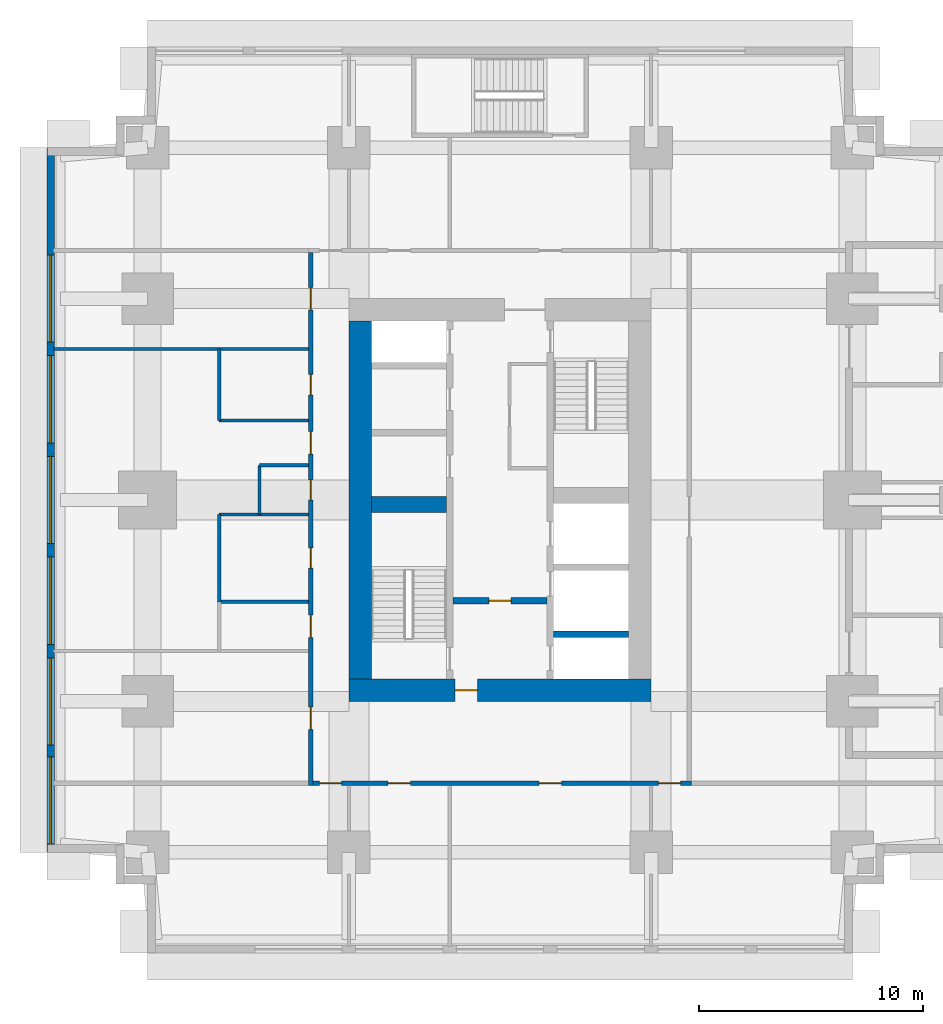
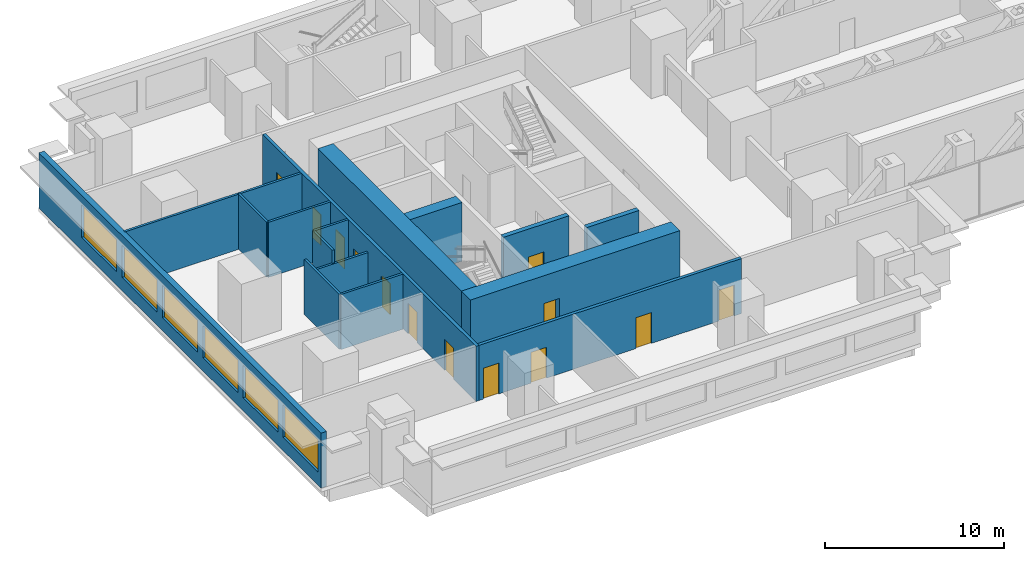
# One storey, part 7 of 16: 16 walls, 13 doors, 6 windows, 19 openings.
"""IFC4 building model written with IfcOpenShell, lengths in metres."""

from ifc_helpers import new_model, si_unit, direction, frame, frame_2d, origin, place, context, subcontext, project, spatial, rectangle, extrude, material, layer, layer_set, type_object, element, fill, save


model = new_model("IFC4")

# Units and contexts
model_context = context("Model", 3, precision=1e-05, world=origin(), true_north=direction((0.0, 1.0)))
body_context = subcontext(model_context, "Body", "Model", "MODEL_VIEW")
ifc_project = project(units=[si_unit("LENGTHUNIT", "METRE"), si_unit("AREAUNIT", "SQUARE_METRE"), si_unit("VOLUMEUNIT", "CUBIC_METRE"), si_unit("PLANEANGLEUNIT", "RADIAN"), si_unit("MASSUNIT", "GRAM", prefix="KILO")], contexts=[model_context])

# Site, building, storey
site_placement = place(None, origin())
site = spatial("IfcSite", under=ifc_project, at=site_placement, CompositionType="ELEMENT")
building_placement = place(site_placement, origin())
building = spatial("IfcBuilding", under=site, at=building_placement, Name="Namib Vertical Campus", CompositionType="ELEMENT")
storey_placement = place(building_placement, frame((0.0, 0.0, 129.0)))
storey = spatial("IfcBuildingStorey", under=building, at=storey_placement, Name="L30", CompositionType="ELEMENT", Elevation=129.0)

# Wall, opening, door
ifc_material_1 = material(Name="Concrete C60/75", Category="concrete")
ifc_layer_1 = layer(ifc_material_1, 0.300048828125)
ifc_layer_set_1 = layer_set([ifc_layer_1], Name="Concrete C60/75")
wall_type_1 = type_object("IfcWallType", Name="Core inner wall 300", PredefinedType="SHEAR", material=ifc_layer_set_1)
wall_1_placement = place(storey_placement, frame((18.14990234375, 15.75, 0.0), z_axis=(0.0, 0.0, 1.0), x_axis=(1.0, 0.0, 0.0)))
wall_1 = element("IfcWall", 1, at=wall_1_placement, inside=storey, type_object=wall_type_1, Name="Core inner wall A L30 W4", PredefinedType="SHEAR", context=body_context, shape_type="SweptSolid", body=[
    extrude(rectangle(XDim=4.2001953125, YDim=0.300048828125, at=frame_2d((2.10009765625, 0.0))), origin(), (0.0, 0.0, 1.0), 4.0),
])
opening_1_placement = place(wall_1_placement, frame((1.60009765625, 0.0, 0.0)))
opening_1 = element("IfcOpeningElement", 2, at=opening_1_placement, cuts=wall_1, Name="Opening FD5", PredefinedType="OPENING", context=body_context, shape_type="SweptSolid", body=[
    extrude(rectangle(XDim=1.0, YDim=2.10009765625, at=frame_2d((0.5, 1.050048828125))), frame((0.0, 0.159912109375, 0.0), z_axis=(0.0, -1.0, 0.0), x_axis=(1.0, 0.0, 0.0)), (0.0, 0.0, 1.0), 0.320068359375),
])
ifc_material_2 = material(Name="Steel fire door", Category="steel")
door_type_1 = type_object("IfcDoorType", Name="Fire door 1000x2100 120 min", OperationType="SINGLE_SWING_RIGHT", PredefinedType="DOOR", material=ifc_material_2)
door_1_placement = place(opening_1_placement, frame((1.0, 0.0, 0.0), z_axis=(0.0, 0.0, 1.0), x_axis=(-1.0, 0.0, 0.0)))
door_1 = element("IfcDoor", 3, at=door_1_placement, inside=storey, type_object=door_type_1, Name="Lobby door FD5 A L30", OperationType="SINGLE_SWING_RIGHT", OverallHeight=2.10009765625, OverallWidth=1.0, PredefinedType="DOOR", context=body_context, shape_type="SweptSolid", body=[
    extrude(rectangle(XDim=1.0, YDim=2.10009765625, at=frame_2d((0.5, 1.050048828125))), frame((0.0, 0.02490234375, 0.0), z_axis=(0.0, -1.0, 0.0), x_axis=(1.0, 0.0, 0.0)), (0.0, 0.0, 1.0), 0.050048828125),
])
fill(opening_1, door_1)

# Walls
wall_2_placement = place(storey_placement, frame((22.64990234375, 14.25, 0.0), z_axis=(0.0, 0.0, 1.0), x_axis=(1.0, 0.0, 0.0)))
element("IfcWall", 4, at=wall_2_placement, inside=storey, type_object=wall_type_1, Name="Core inner wall A L30 W5", PredefinedType="SHEAR", context=body_context, shape_type="SweptSolid", body=[
    extrude(rectangle(XDim=3.35009765625, YDim=0.300048828125, at=frame_2d((1.675048828125, 0.0))), origin(), (0.0, 0.0, 1.0), 4.0),
])
ifc_material_3 = material(Name="Concrete C60/75", Category="concrete")
ifc_layer_2 = layer(ifc_material_3, 0.699951171875)
ifc_layer_set_2 = layer_set([ifc_layer_2], Name="Concrete C60/75")
wall_type_2 = type_object("IfcWallType", Name="Core shear wall 700", PredefinedType="SHEAR", material=ifc_layer_set_2)
wall_3_placement = place(storey_placement, frame((14.5, 20.050048828125, 0.0), z_axis=(0.0, 0.0, 1.0), x_axis=(1.0, 0.0, 0.0)))
element("IfcWall", 5, at=wall_3_placement, inside=storey, type_object=wall_type_2, Name="Core shear wall A L30 W3", PredefinedType="SHEAR", context=body_context, shape_type="SweptSolid", body=[
    extrude(rectangle(XDim=3.35009765625, YDim=0.699951171875, at=frame_2d((1.675048828125, 0.0))), origin(), (0.0, 0.0, 1.0), 4.0),
])

# Wall, opening, door
ifc_material_4 = material(Name="Concrete C60/75", Category="concrete")
ifc_layer_3 = layer(ifc_material_4, 1.0)
ifc_layer_set_3 = layer_set([ifc_layer_3], Name="Concrete C60/75")
wall_type_3 = type_object("IfcWallType", Name="Core wall 1000", PredefinedType="SHEAR", material=ifc_layer_set_3)
wall_4_placement = place(storey_placement, frame((13.5, 11.75, 0.0), z_axis=(0.0, 0.0, 1.0), x_axis=(1.0, 0.0, 0.0)))
wall_4 = element("IfcWall", 6, at=wall_4_placement, inside=storey, type_object=wall_type_3, Name="Core wall A L30 1", PredefinedType="SHEAR", context=body_context, shape_type="SweptSolid", body=[
    extrude(rectangle(XDim=13.5, YDim=1.0, at=frame_2d((6.75, 0.0))), origin(), (0.0, 0.0, 1.0), 4.0),
])
opening_2_placement = place(wall_4_placement, frame((4.75, 0.0, 0.0)))
opening_2 = element("IfcOpeningElement", 7, at=opening_2_placement, cuts=wall_4, Name="Opening FD5", PredefinedType="OPENING", context=body_context, shape_type="SweptSolid", body=[
    extrude(rectangle(XDim=1.0, YDim=2.10009765625, at=frame_2d((0.5, 1.050048828125))), frame((0.0, 0.510009765625, 0.0), z_axis=(0.0, -1.0, 0.0), x_axis=(1.0, 0.0, 0.0)), (0.0, 0.0, 1.0), 1.02001953125),
])
door_2_placement = place(opening_2_placement, origin())
door_2 = element("IfcDoor", 8, at=door_2_placement, inside=storey, type_object=door_type_1, Name="Firefighting lobby door FD5 A L30", OperationType="SINGLE_SWING_LEFT", OverallHeight=2.10009765625, OverallWidth=1.0, PredefinedType="DOOR", context=body_context, shape_type="SweptSolid", body=[
    extrude(rectangle(XDim=1.0, YDim=2.10009765625, at=frame_2d((0.5, 1.050048828125))), frame((0.0, 0.02490234375, 0.0), z_axis=(0.0, -1.0, 0.0), x_axis=(1.0, 0.0, 0.0)), (0.0, 0.0, 1.0), 0.050048828125),
])
fill(opening_2, door_2)

# Wall
wall_5_placement = place(storey_placement, frame((14.0, 28.25, 0.0), z_axis=(0.0, 0.0, 1.0), x_axis=(0.0, -1.0, 0.0)))
element("IfcWall", 9, at=wall_5_placement, inside=storey, type_object=wall_type_3, Name="Core wall A L30 4", PredefinedType="SHEAR", context=body_context, shape_type="SweptSolid", body=[
    extrude(rectangle(XDim=16.0, YDim=1.0, at=frame_2d((8.0, 0.0))), origin(), (0.0, 0.0, 1.0), 4.0),
])

# Wall, openings, doors
ifc_material_5 = material(Name="Concrete masonry", Category="masonry")
ifc_layer_4 = layer(ifc_material_5, 0.199951171875)
ifc_layer_set_4 = layer_set([ifc_layer_4], Name="Corridor wall 200")
wall_type_4 = type_object("IfcWallType", Name="Corridor wall 200", PredefinedType="SOLIDWALL", material=ifc_layer_set_4)
wall_6_placement = place(storey_placement, frame((11.89990234375, 7.60009765625, 0.0), z_axis=(0.0, 0.0, 1.0), x_axis=(1.0, 0.0, 0.0)))
wall_6 = element("IfcWall", 10, at=wall_6_placement, inside=storey, type_object=wall_type_4, Name="Corridor wall A L30 CS", PredefinedType="SOLIDWALL", context=body_context, shape_type="SweptSolid", body=[
    extrude(rectangle(XDim=16.900146484375, YDim=0.199951171875, at=frame_2d((8.4501953125, 0.0))), origin(), (0.0, 0.0, 1.0), 3.75),
])
opening_3_placement = place(wall_6_placement, frame((0.27490234375, 0.0, 0.0)))
opening_3 = element("IfcOpeningElement", 11, at=opening_3_placement, cuts=wall_6, Name="Opening CD1", PredefinedType="OPENING", context=body_context, shape_type="SweptSolid", body=[
    extrude(rectangle(XDim=1.0, YDim=2.10009765625, at=frame_2d((0.5, 1.050048828125))), frame((0.0, 0.10986328125, 0.0), z_axis=(0.0, -1.0, 0.0), x_axis=(1.0, 0.0, 0.0)), (0.0, 0.0, 1.0), 0.219970703125),
])
opening_4_placement = place(wall_6_placement, frame((3.35009765625, 0.0, 0.0)))
opening_4 = element("IfcOpeningElement", 12, at=opening_4_placement, cuts=wall_6, Name="Opening CD1", PredefinedType="OPENING", context=body_context, shape_type="SweptSolid", body=[
    extrude(rectangle(XDim=1.0, YDim=2.10009765625, at=frame_2d((0.5, 1.050048828125))), frame((0.0, 0.10986328125, 0.0), z_axis=(0.0, -1.0, 0.0), x_axis=(1.0, 0.0, 0.0)), (0.0, 0.0, 1.0), 0.219970703125),
])
opening_5_placement = place(wall_6_placement, frame((10.10009765625, 0.0, 0.0)))
opening_5 = element("IfcOpeningElement", 13, at=opening_5_placement, cuts=wall_6, Name="Opening CD1", PredefinedType="OPENING", context=body_context, shape_type="SweptSolid", body=[
    extrude(rectangle(XDim=1.0, YDim=2.10009765625, at=frame_2d((0.5, 1.050048828125))), frame((0.0, 0.10986328125, 0.0), z_axis=(0.0, -1.0, 0.0), x_axis=(1.0, 0.0, 0.0)), (0.0, 0.0, 1.0), 0.219970703125),
])
opening_6_placement = place(wall_6_placement, frame((15.425048828125, 0.0, 0.0)))
opening_6 = element("IfcOpeningElement", 14, at=opening_6_placement, cuts=wall_6, Name="Opening CD1", PredefinedType="OPENING", context=body_context, shape_type="SweptSolid", body=[
    extrude(rectangle(XDim=1.0, YDim=2.10009765625, at=frame_2d((0.5, 1.050048828125))), frame((0.0, 0.10986328125, 0.0), z_axis=(0.0, -1.0, 0.0), x_axis=(1.0, 0.0, 0.0)), (0.0, 0.0, 1.0), 0.219970703125),
])
ifc_material_6 = material(Name="Timber fire door leaf", Category="wood")
door_type_2 = type_object("IfcDoorType", Name="Corridor door 1000x2100 20 min", OperationType="SINGLE_SWING_LEFT", PredefinedType="DOOR", material=ifc_material_6)
door_3_placement = place(opening_3_placement, frame((1.0, 0.0, 0.0), z_axis=(0.0, 0.0, 1.0), x_axis=(-1.0, 0.0, 0.0)))
door_3 = element("IfcDoor", 15, at=door_3_placement, inside=storey, type_object=door_type_2, Name="Door CD1 A30-01", OperationType="SINGLE_SWING_LEFT", OverallHeight=2.10009765625, OverallWidth=1.0, PredefinedType="DOOR", context=body_context, shape_type="SweptSolid", body=[
    extrude(rectangle(XDim=1.0, YDim=2.10009765625, at=frame_2d((0.5, 1.050048828125))), frame((0.0, 0.02490234375, 0.0), z_axis=(0.0, -1.0, 0.0), x_axis=(1.0, 0.0, 0.0)), (0.0, 0.0, 1.0), 0.050048828125),
])
fill(opening_3, door_3)
door_4_placement = place(opening_4_placement, frame((1.0, 0.0, 0.0), z_axis=(0.0, 0.0, 1.0), x_axis=(-1.0, 0.0, 0.0)))
door_4 = element("IfcDoor", 16, at=door_4_placement, inside=storey, type_object=door_type_2, Name="Door CD1 A30-02", OperationType="SINGLE_SWING_RIGHT", OverallHeight=2.10009765625, OverallWidth=1.0, PredefinedType="DOOR", context=body_context, shape_type="SweptSolid", body=[
    extrude(rectangle(XDim=1.0, YDim=2.10009765625, at=frame_2d((0.5, 1.050048828125))), frame((0.0, 0.02490234375, 0.0), z_axis=(0.0, -1.0, 0.0), x_axis=(1.0, 0.0, 0.0)), (0.0, 0.0, 1.0), 0.050048828125),
])
fill(opening_4, door_4)
door_5_placement = place(opening_5_placement, frame((1.0, 0.0, 0.0), z_axis=(0.0, 0.0, 1.0), x_axis=(-1.0, 0.0, 0.0)))
door_5 = element("IfcDoor", 17, at=door_5_placement, inside=storey, type_object=door_type_2, Name="Door CD1 A30-03", OperationType="SINGLE_SWING_RIGHT", OverallHeight=2.10009765625, OverallWidth=1.0, PredefinedType="DOOR", context=body_context, shape_type="SweptSolid", body=[
    extrude(rectangle(XDim=1.0, YDim=2.10009765625, at=frame_2d((0.5, 1.050048828125))), frame((0.0, 0.02490234375, 0.0), z_axis=(0.0, -1.0, 0.0), x_axis=(1.0, 0.0, 0.0)), (0.0, 0.0, 1.0), 0.050048828125),
])
fill(opening_5, door_5)
door_6_placement = place(opening_6_placement, frame((1.0, 0.0, 0.0), z_axis=(0.0, 0.0, 1.0), x_axis=(-1.0, 0.0, 0.0)))
door_6 = element("IfcDoor", 18, at=door_6_placement, inside=storey, type_object=door_type_2, Name="Door CD1 A30-04", OperationType="SINGLE_SWING_RIGHT", OverallHeight=2.10009765625, OverallWidth=1.0, PredefinedType="DOOR", context=body_context, shape_type="SweptSolid", body=[
    extrude(rectangle(XDim=1.0, YDim=2.10009765625, at=frame_2d((0.5, 1.050048828125))), frame((0.0, 0.02490234375, 0.0), z_axis=(0.0, -1.0, 0.0), x_axis=(1.0, 0.0, 0.0)), (0.0, 0.0, 1.0), 0.050048828125),
])
fill(opening_6, door_6)

wall_7_placement = place(storey_placement, frame((11.800048828125, 31.300048828125, 0.0), z_axis=(0.0, 0.0, 1.0), x_axis=(0.0, -1.0, 0.0)))
wall_7 = element("IfcWall", 19, at=wall_7_placement, inside=storey, type_object=wall_type_4, Name="Corridor wall A L30 CW", PredefinedType="SOLIDWALL", context=body_context, shape_type="SweptSolid", body=[
    extrude(rectangle(XDim=23.800048828125, YDim=0.199951171875, at=frame_2d((11.89990234375, 0.0))), origin(), (0.0, 0.0, 1.0), 3.75),
])
opening_7_placement = place(wall_7_placement, frame((20.300048828125, 0.0, 0.0)))
opening_7 = element("IfcOpeningElement", 20, at=opening_7_placement, cuts=wall_7, Name="Opening CD1", PredefinedType="OPENING", context=body_context, shape_type="SweptSolid", body=[
    extrude(rectangle(XDim=1.0, YDim=2.10009765625, at=frame_2d((0.5, 1.050048828125))), frame((0.0, 0.10986328125, 0.0), z_axis=(0.0, -1.0, 0.0), x_axis=(1.0, 0.0, 0.0)), (0.0, 0.0, 1.0), 0.219970703125),
])
opening_8_placement = place(wall_7_placement, frame((16.199951171875, 0.0, 0.0)))
opening_8 = element("IfcOpeningElement", 21, at=opening_8_placement, cuts=wall_7, Name="Opening CD1", PredefinedType="OPENING", context=body_context, shape_type="SweptSolid", body=[
    extrude(rectangle(XDim=1.0, YDim=2.10009765625, at=frame_2d((0.5, 1.050048828125))), frame((0.0, 0.10986328125, 0.0), z_axis=(0.0, -1.0, 0.0), x_axis=(1.0, 0.0, 0.0)), (0.0, 0.0, 1.0), 0.219970703125),
])
opening_9_placement = place(wall_7_placement, frame((13.199951171875, 0.0, 0.0)))
opening_9 = element("IfcOpeningElement", 22, at=opening_9_placement, cuts=wall_7, Name="Opening CD3", PredefinedType="OPENING", context=body_context, shape_type="SweptSolid", body=[
    extrude(rectangle(XDim=0.89990234375, YDim=2.10009765625, at=frame_2d((0.449951171875, 1.050048828125))), frame((0.0, 0.10986328125, 0.0), z_axis=(0.0, -1.0, 0.0), x_axis=(1.0, 0.0, 0.0)), (0.0, 0.0, 1.0), 0.219970703125),
])
opening_10_placement = place(wall_7_placement, frame((10.14990234375, 0.0, 0.0)))
opening_10 = element("IfcOpeningElement", 23, at=opening_10_placement, cuts=wall_7, Name="Opening CD3", PredefinedType="OPENING", context=body_context, shape_type="SweptSolid", body=[
    extrude(rectangle(XDim=0.89990234375, YDim=2.10009765625, at=frame_2d((0.449951171875, 1.050048828125))), frame((0.0, 0.10986328125, 0.0), z_axis=(0.0, -1.0, 0.0), x_axis=(1.0, 0.0, 0.0)), (0.0, 0.0, 1.0), 0.219970703125),
])
opening_11_placement = place(wall_7_placement, frame((5.449951171875, 0.0, 0.0)))
opening_11 = element("IfcOpeningElement", 24, at=opening_11_placement, cuts=wall_7, Name="Opening CD3", PredefinedType="OPENING", context=body_context, shape_type="SweptSolid", body=[
    extrude(rectangle(XDim=0.89990234375, YDim=2.10009765625, at=frame_2d((0.449951171875, 1.050048828125))), frame((0.0, 0.10986328125, 0.0), z_axis=(0.0, -1.0, 0.0), x_axis=(1.0, 0.0, 0.0)), (0.0, 0.0, 1.0), 0.219970703125),
])
opening_12_placement = place(wall_7_placement, frame((8.0, 0.0, 0.0)))
opening_12 = element("IfcOpeningElement", 25, at=opening_12_placement, cuts=wall_7, Name="Opening CD1", PredefinedType="OPENING", context=body_context, shape_type="SweptSolid", body=[
    extrude(rectangle(XDim=1.0, YDim=2.10009765625, at=frame_2d((0.5, 1.050048828125))), frame((0.0, 0.10986328125, 0.0), z_axis=(0.0, -1.0, 0.0), x_axis=(1.0, 0.0, 0.0)), (0.0, 0.0, 1.0), 0.219970703125),
])
opening_13_placement = place(wall_7_placement, frame((1.550048828125, 0.0, 0.0)))
opening_13 = element("IfcOpeningElement", 26, at=opening_13_placement, cuts=wall_7, Name="Opening CD1", PredefinedType="OPENING", context=body_context, shape_type="SweptSolid", body=[
    extrude(rectangle(XDim=1.0, YDim=2.10009765625, at=frame_2d((0.5, 1.050048828125))), frame((0.0, 0.10986328125, 0.0), z_axis=(0.0, -1.0, 0.0), x_axis=(1.0, 0.0, 0.0)), (0.0, 0.0, 1.0), 0.219970703125),
])
door_7_placement = place(opening_7_placement, frame((1.0, 0.0, 0.0), z_axis=(0.0, 0.0, 1.0), x_axis=(-1.0, 0.0, 0.0)))
door_7 = element("IfcDoor", 27, at=door_7_placement, inside=storey, type_object=door_type_2, Name="Door CD1 A30-10", OperationType="SINGLE_SWING_RIGHT", OverallHeight=2.10009765625, OverallWidth=1.0, PredefinedType="DOOR", context=body_context, shape_type="SweptSolid", body=[
    extrude(rectangle(XDim=1.0, YDim=2.10009765625, at=frame_2d((0.5, 1.050048828125))), frame((0.0, 0.02490234375, 0.0), z_axis=(0.0, -1.0, 0.0), x_axis=(1.0, 0.0, 0.0)), (0.0, 0.0, 1.0), 0.050048828125),
])
fill(opening_7, door_7)
door_8_placement = place(opening_8_placement, frame((1.0, 0.0, 0.0), z_axis=(0.0, 0.0, 1.0), x_axis=(-1.0, 0.0, 0.0)))
door_8 = element("IfcDoor", 28, at=door_8_placement, inside=storey, type_object=door_type_2, Name="Door CD1 A30-11", OperationType="SINGLE_SWING_RIGHT", OverallHeight=2.10009765625, OverallWidth=1.0, PredefinedType="DOOR", context=body_context, shape_type="SweptSolid", body=[
    extrude(rectangle(XDim=1.0, YDim=2.10009765625, at=frame_2d((0.5, 1.050048828125))), frame((0.0, 0.02490234375, 0.0), z_axis=(0.0, -1.0, 0.0), x_axis=(1.0, 0.0, 0.0)), (0.0, 0.0, 1.0), 0.050048828125),
])
fill(opening_8, door_8)
door_9_placement = place(opening_12_placement, frame((1.0, 0.0, 0.0), z_axis=(0.0, 0.0, 1.0), x_axis=(-1.0, 0.0, 0.0)))
door_9 = element("IfcDoor", 29, at=door_9_placement, inside=storey, type_object=door_type_2, Name="Door CD1 A30-15", OperationType="SINGLE_SWING_RIGHT", OverallHeight=2.10009765625, OverallWidth=1.0, PredefinedType="DOOR", context=body_context, shape_type="SweptSolid", body=[
    extrude(rectangle(XDim=1.0, YDim=2.10009765625, at=frame_2d((0.5, 1.050048828125))), frame((0.0, 0.02490234375, 0.0), z_axis=(0.0, -1.0, 0.0), x_axis=(1.0, 0.0, 0.0)), (0.0, 0.0, 1.0), 0.050048828125),
])
fill(opening_12, door_9)
door_10_placement = place(opening_13_placement, frame((1.0, 0.0, 0.0), z_axis=(0.0, 0.0, 1.0), x_axis=(-1.0, 0.0, 0.0)))
door_10 = element("IfcDoor", 30, at=door_10_placement, inside=storey, type_object=door_type_2, Name="Door CD1 A30-16", OperationType="SINGLE_SWING_RIGHT", OverallHeight=2.10009765625, OverallWidth=1.0, PredefinedType="DOOR", context=body_context, shape_type="SweptSolid", body=[
    extrude(rectangle(XDim=1.0, YDim=2.10009765625, at=frame_2d((0.5, 1.050048828125))), frame((0.0, 0.02490234375, 0.0), z_axis=(0.0, -1.0, 0.0), x_axis=(1.0, 0.0, 0.0)), (0.0, 0.0, 1.0), 0.050048828125),
])
fill(opening_13, door_10)
ifc_material_7 = material(Name="Timber fire door leaf", Category="wood")
door_type_3 = type_object("IfcDoorType", Name="Corridor toilet door 900x2100 20 min", OperationType="SINGLE_SWING_LEFT", PredefinedType="DOOR", material=ifc_material_7)
door_11_placement = place(opening_9_placement, frame((0.89990234375, 0.0, 0.0), z_axis=(0.0, 0.0, 1.0), x_axis=(-1.0, 0.0, 0.0)))
door_11 = element("IfcDoor", 31, at=door_11_placement, inside=storey, type_object=door_type_3, Name="Door CD3 A30-12", OperationType="SINGLE_SWING_RIGHT", OverallHeight=2.10009765625, OverallWidth=0.89990234375, PredefinedType="DOOR", context=body_context, shape_type="SweptSolid", body=[
    extrude(rectangle(XDim=0.89990234375, YDim=2.10009765625, at=frame_2d((0.449951171875, 1.050048828125))), frame((0.0, 0.02490234375, 0.0), z_axis=(0.0, -1.0, 0.0), x_axis=(1.0, 0.0, 0.0)), (0.0, 0.0, 1.0), 0.050048828125),
])
fill(opening_9, door_11)
door_12_placement = place(opening_10_placement, frame((0.89990234375, 0.0, 0.0), z_axis=(0.0, 0.0, 1.0), x_axis=(-1.0, 0.0, 0.0)))
door_12 = element("IfcDoor", 32, at=door_12_placement, inside=storey, type_object=door_type_3, Name="Door CD3 A30-13", OperationType="SINGLE_SWING_RIGHT", OverallHeight=2.10009765625, OverallWidth=0.89990234375, PredefinedType="DOOR", context=body_context, shape_type="SweptSolid", body=[
    extrude(rectangle(XDim=0.89990234375, YDim=2.10009765625, at=frame_2d((0.449951171875, 1.050048828125))), frame((0.0, 0.02490234375, 0.0), z_axis=(0.0, -1.0, 0.0), x_axis=(1.0, 0.0, 0.0)), (0.0, 0.0, 1.0), 0.050048828125),
])
fill(opening_10, door_12)
door_13_placement = place(opening_11_placement, frame((0.89990234375, 0.0, 0.0), z_axis=(0.0, 0.0, 1.0), x_axis=(-1.0, 0.0, 0.0)))
door_13 = element("IfcDoor", 33, at=door_13_placement, inside=storey, type_object=door_type_3, Name="Door CD3 A30-14", OperationType="SINGLE_SWING_RIGHT", OverallHeight=2.10009765625, OverallWidth=0.89990234375, PredefinedType="DOOR", context=body_context, shape_type="SweptSolid", body=[
    extrude(rectangle(XDim=0.89990234375, YDim=2.10009765625, at=frame_2d((0.449951171875, 1.050048828125))), frame((0.0, 0.02490234375, 0.0), z_axis=(0.0, -1.0, 0.0), x_axis=(1.0, 0.0, 0.0)), (0.0, 0.0, 1.0), 0.050048828125),
])
fill(opening_11, door_13)

# Wall, openings, windows
ifc_material_8 = material(Name="Concrete C40/50", Category="concrete")
ifc_layer_5 = layer(ifc_material_8, 0.35009765625)
ifc_layer_set_5 = layer_set([ifc_layer_5], Name="Concrete C40/50")
wall_type_5 = type_object("IfcWallType", Name="External wall 350 bush-hammered concrete", PredefinedType="STANDARD", material=ifc_layer_set_5)
wall_8_placement = place(storey_placement, frame((0.175048828125, 35.97998046875, 0.0), z_axis=(0.0, 0.0, 1.0), x_axis=(0.0, -1.0, 0.0)))
wall_8 = element("IfcWall", 34, at=wall_8_placement, inside=storey, type_object=wall_type_5, Name="External wall L30 F21", PredefinedType="STANDARD", context=body_context, shape_type="SweptSolid", body=[
    extrude(rectangle(XDim=31.4599609375, YDim=0.35009765625, at=frame_2d((15.72998046875, 0.0))), origin(), (0.0, 0.0, 1.0), 3.75),
])
opening_14_placement = place(wall_8_placement, frame((27.2099609375, 0.0, 0.89990234375)))
opening_14 = element("IfcOpeningElement", 35, at=opening_14_placement, cuts=wall_8, Name="Opening W1", PredefinedType="OPENING", context=body_context, shape_type="SweptSolid", body=[
    extrude(rectangle(XDim=3.89990234375, YDim=2.199951171875, at=frame_2d((1.949951171875, 1.10009765625))), frame((0.0, 0.18505859375, 0.0), z_axis=(0.0, -1.0, 0.0), x_axis=(1.0, 0.0, 0.0)), (0.0, 0.0, 1.0), 0.3701171875),
])
opening_15_placement = place(wall_8_placement, frame((22.780029296875, 0.0, 0.89990234375)))
opening_15 = element("IfcOpeningElement", 36, at=opening_15_placement, cuts=wall_8, Name="Opening W1", PredefinedType="OPENING", context=body_context, shape_type="SweptSolid", body=[
    extrude(rectangle(XDim=3.89990234375, YDim=2.199951171875, at=frame_2d((1.949951171875, 1.10009765625))), frame((0.0, 0.18505859375, 0.0), z_axis=(0.0, -1.0, 0.0), x_axis=(1.0, 0.0, 0.0)), (0.0, 0.0, 1.0), 0.3701171875),
])
opening_16_placement = place(wall_8_placement, frame((18.280029296875, 0.0, 0.89990234375)))
opening_16 = element("IfcOpeningElement", 37, at=opening_16_placement, cuts=wall_8, Name="Opening W1", PredefinedType="OPENING", context=body_context, shape_type="SweptSolid", body=[
    extrude(rectangle(XDim=3.89990234375, YDim=2.199951171875, at=frame_2d((1.949951171875, 1.10009765625))), frame((0.0, 0.18505859375, 0.0), z_axis=(0.0, -1.0, 0.0), x_axis=(1.0, 0.0, 0.0)), (0.0, 0.0, 1.0), 0.3701171875),
])
opening_17_placement = place(wall_8_placement, frame((13.780029296875, 0.0, 0.89990234375)))
opening_17 = element("IfcOpeningElement", 38, at=opening_17_placement, cuts=wall_8, Name="Opening W1", PredefinedType="OPENING", context=body_context, shape_type="SweptSolid", body=[
    extrude(rectangle(XDim=3.89990234375, YDim=2.199951171875, at=frame_2d((1.949951171875, 1.10009765625))), frame((0.0, 0.18505859375, 0.0), z_axis=(0.0, -1.0, 0.0), x_axis=(1.0, 0.0, 0.0)), (0.0, 0.0, 1.0), 0.3701171875),
])
opening_18_placement = place(wall_8_placement, frame((9.280029296875, 0.0, 0.89990234375)))
opening_18 = element("IfcOpeningElement", 39, at=opening_18_placement, cuts=wall_8, Name="Opening W1", PredefinedType="OPENING", context=body_context, shape_type="SweptSolid", body=[
    extrude(rectangle(XDim=3.89990234375, YDim=2.199951171875, at=frame_2d((1.949951171875, 1.10009765625))), frame((0.0, 0.18505859375, 0.0), z_axis=(0.0, -1.0, 0.0), x_axis=(1.0, 0.0, 0.0)), (0.0, 0.0, 1.0), 0.3701171875),
])
opening_19_placement = place(wall_8_placement, frame((4.780029296875, 0.0, 0.89990234375)))
opening_19 = element("IfcOpeningElement", 40, at=opening_19_placement, cuts=wall_8, Name="Opening W1", PredefinedType="OPENING", context=body_context, shape_type="SweptSolid", body=[
    extrude(rectangle(XDim=3.89990234375, YDim=2.199951171875, at=frame_2d((1.949951171875, 1.10009765625))), frame((0.0, 0.18505859375, 0.0), z_axis=(0.0, -1.0, 0.0), x_axis=(1.0, 0.0, 0.0)), (0.0, 0.0, 1.0), 0.3701171875),
])
ifc_material_9 = material(Name="Dark tinted glass in black aluminium frame", Category="aluminium")
window_type = type_object("IfcWindowType", Name="Ribbon window 3900x2200", PartitioningType="SINGLE_PANEL", PredefinedType="WINDOW", material=ifc_material_9)
window_1_placement = place(opening_14_placement, origin())
window_1 = element("IfcWindow", 41, at=window_1_placement, inside=storey, type_object=window_type, Name="Window W1 L30 F21-1", OverallHeight=2.199951171875, OverallWidth=3.89990234375, PartitioningType="SINGLE_PANEL", PredefinedType="WINDOW", context=body_context, shape_type="SweptSolid", body=[
    extrude(rectangle(XDim=3.89990234375, YDim=2.199951171875, at=frame_2d((1.949951171875, 1.10009765625))), frame((0.0, 0.030029296875, 0.0), z_axis=(0.0, -1.0, 0.0), x_axis=(1.0, 0.0, 0.0)), (0.0, 0.0, 1.0), 0.06005859375),
])
fill(opening_14, window_1)
window_2_placement = place(opening_15_placement, origin())
window_2 = element("IfcWindow", 42, at=window_2_placement, inside=storey, type_object=window_type, Name="Window W1 L30 F21-2", OverallHeight=2.199951171875, OverallWidth=3.89990234375, PartitioningType="SINGLE_PANEL", PredefinedType="WINDOW", context=body_context, shape_type="SweptSolid", body=[
    extrude(rectangle(XDim=3.89990234375, YDim=2.199951171875, at=frame_2d((1.949951171875, 1.10009765625))), frame((0.0, 0.030029296875, 0.0), z_axis=(0.0, -1.0, 0.0), x_axis=(1.0, 0.0, 0.0)), (0.0, 0.0, 1.0), 0.06005859375),
])
fill(opening_15, window_2)
window_3_placement = place(opening_16_placement, origin())
window_3 = element("IfcWindow", 43, at=window_3_placement, inside=storey, type_object=window_type, Name="Window W1 L30 F21-3", OverallHeight=2.199951171875, OverallWidth=3.89990234375, PartitioningType="SINGLE_PANEL", PredefinedType="WINDOW", context=body_context, shape_type="SweptSolid", body=[
    extrude(rectangle(XDim=3.89990234375, YDim=2.199951171875, at=frame_2d((1.949951171875, 1.10009765625))), frame((0.0, 0.030029296875, 0.0), z_axis=(0.0, -1.0, 0.0), x_axis=(1.0, 0.0, 0.0)), (0.0, 0.0, 1.0), 0.06005859375),
])
fill(opening_16, window_3)
window_4_placement = place(opening_17_placement, origin())
window_4 = element("IfcWindow", 44, at=window_4_placement, inside=storey, type_object=window_type, Name="Window W1 L30 F21-4", OverallHeight=2.199951171875, OverallWidth=3.89990234375, PartitioningType="SINGLE_PANEL", PredefinedType="WINDOW", context=body_context, shape_type="SweptSolid", body=[
    extrude(rectangle(XDim=3.89990234375, YDim=2.199951171875, at=frame_2d((1.949951171875, 1.10009765625))), frame((0.0, 0.030029296875, 0.0), z_axis=(0.0, -1.0, 0.0), x_axis=(1.0, 0.0, 0.0)), (0.0, 0.0, 1.0), 0.06005859375),
])
fill(opening_17, window_4)
window_5_placement = place(opening_18_placement, origin())
window_5 = element("IfcWindow", 45, at=window_5_placement, inside=storey, type_object=window_type, Name="Window W1 L30 F21-5", OverallHeight=2.199951171875, OverallWidth=3.89990234375, PartitioningType="SINGLE_PANEL", PredefinedType="WINDOW", context=body_context, shape_type="SweptSolid", body=[
    extrude(rectangle(XDim=3.89990234375, YDim=2.199951171875, at=frame_2d((1.949951171875, 1.10009765625))), frame((0.0, 0.030029296875, 0.0), z_axis=(0.0, -1.0, 0.0), x_axis=(1.0, 0.0, 0.0)), (0.0, 0.0, 1.0), 0.06005859375),
])
fill(opening_18, window_5)
window_6_placement = place(opening_19_placement, origin())
window_6 = element("IfcWindow", 46, at=window_6_placement, inside=storey, type_object=window_type, Name="Window W1 L30 F21-6", OverallHeight=2.199951171875, OverallWidth=3.89990234375, PartitioningType="SINGLE_PANEL", PredefinedType="WINDOW", context=body_context, shape_type="SweptSolid", body=[
    extrude(rectangle(XDim=3.89990234375, YDim=2.199951171875, at=frame_2d((1.949951171875, 1.10009765625))), frame((0.0, 0.030029296875, 0.0), z_axis=(0.0, -1.0, 0.0), x_axis=(1.0, 0.0, 0.0)), (0.0, 0.0, 1.0), 0.06005859375),
])
fill(opening_19, window_6)

# Walls
ifc_material_10 = material(Name="Gypsum board on steel studs", Category="steel")
ifc_layer_6 = layer(ifc_material_10, 0.14990234375)
ifc_layer_set_6 = layer_set([ifc_layer_6], Name="Gypsum board on steel studs")
wall_type_6 = type_object("IfcWallType", Name="Partition 150", PredefinedType="PARTITIONING", material=ifc_layer_set_6)
wall_9_placement = place(storey_placement, frame((0.300048828125, 27.0, 0.0), z_axis=(0.0, 0.0, 1.0), x_axis=(1.0, 0.0, 0.0)))
element("IfcWall", 47, at=wall_9_placement, inside=storey, type_object=wall_type_6, Name="Partition A L30 PW2", PredefinedType="PARTITIONING", context=body_context, shape_type="SweptSolid", body=[
    extrude(rectangle(XDim=11.39990234375, YDim=0.14990234375, at=frame_2d((5.699951171875, 0.0))), origin(), (0.0, 0.0, 1.0), 3.75),
])
wall_10_placement = place(storey_placement, frame((11.699951171875, 15.699951171875, 0.0), z_axis=(0.0, 0.0, 1.0), x_axis=(-1.0, 0.0, 0.0)))
element("IfcWall", 48, at=wall_10_placement, inside=storey, type_object=wall_type_6, Name="Partition A L30 WR1", PredefinedType="PARTITIONING", context=body_context, shape_type="SweptSolid", body=[
    extrude(rectangle(XDim=4.0, YDim=0.14990234375, at=frame_2d((2.0, 0.0))), origin(), (0.0, 0.0, 1.0), 3.75),
])
wall_11_placement = place(storey_placement, frame((11.699951171875, 19.60009765625, 0.0), z_axis=(0.0, 0.0, 1.0), x_axis=(-1.0, 0.0, 0.0)))
element("IfcWall", 49, at=wall_11_placement, inside=storey, type_object=wall_type_6, Name="Partition A L30 WR2", PredefinedType="PARTITIONING", context=body_context, shape_type="SweptSolid", body=[
    extrude(rectangle(XDim=4.0, YDim=0.14990234375, at=frame_2d((2.0, 0.0))), origin(), (0.0, 0.0, 1.0), 2.85009765625),
])
wall_12_placement = place(storey_placement, frame((11.699951171875, 21.800048828125, 0.0), z_axis=(0.0, 0.0, 1.0), x_axis=(-1.0, 0.0, 0.0)))
element("IfcWall", 50, at=wall_12_placement, inside=storey, type_object=wall_type_6, Name="Partition A L30 WR3", PredefinedType="PARTITIONING", context=body_context, shape_type="SweptSolid", body=[
    extrude(rectangle(XDim=2.199951171875, YDim=0.14990234375, at=frame_2d((1.10009765625, 0.0))), origin(), (0.0, 0.0, 1.0), 3.75),
])
wall_13_placement = place(storey_placement, frame((11.699951171875, 23.800048828125, 0.0), z_axis=(0.0, 0.0, 1.0), x_axis=(-1.0, 0.0, 0.0)))
element("IfcWall", 51, at=wall_13_placement, inside=storey, type_object=wall_type_6, Name="Partition A L30 WR4", PredefinedType="PARTITIONING", context=body_context, shape_type="SweptSolid", body=[
    extrude(rectangle(XDim=4.0, YDim=0.14990234375, at=frame_2d((2.0, 0.0))), origin(), (0.0, 0.0, 1.0), 3.75),
])
wall_14_placement = place(storey_placement, frame((7.699951171875, 15.699951171875, 0.0), z_axis=(0.0, 0.0, 1.0), x_axis=(0.0, 1.0, 0.0)))
element("IfcWall", 52, at=wall_14_placement, inside=storey, type_object=wall_type_6, Name="Partition A L30 WB2", PredefinedType="PARTITIONING", context=body_context, shape_type="SweptSolid", body=[
    extrude(rectangle(XDim=3.900146484375, YDim=0.14990234375, at=frame_2d((1.9501953125, 0.0))), origin(), (0.0, 0.0, 1.0), 3.75),
])
wall_15_placement = place(storey_placement, frame((9.5, 19.60009765625, 0.0), z_axis=(0.0, 0.0, 1.0), x_axis=(0.0, 1.0, 0.0)))
element("IfcWall", 53, at=wall_15_placement, inside=storey, type_object=wall_type_6, Name="Partition A L30 WB3", PredefinedType="PARTITIONING", context=body_context, shape_type="SweptSolid", body=[
    extrude(rectangle(XDim=2.199951171875, YDim=0.14990234375, at=frame_2d((1.10009765625, 0.0))), origin(), (0.0, 0.0, 1.0), 3.75),
])
wall_16_placement = place(storey_placement, frame((7.699951171875, 23.800048828125, 0.0), z_axis=(0.0, 0.0, 1.0), x_axis=(0.0, 1.0, 0.0)))
element("IfcWall", 54, at=wall_16_placement, inside=storey, type_object=wall_type_6, Name="Partition A L30 WB4", PredefinedType="PARTITIONING", context=body_context, shape_type="SweptSolid", body=[
    extrude(rectangle(XDim=3.199951171875, YDim=0.14990234375, at=frame_2d((1.60009765625, 0.0))), origin(), (0.0, 0.0, 1.0), 3.75),
])

save(model, "model.ifc")
